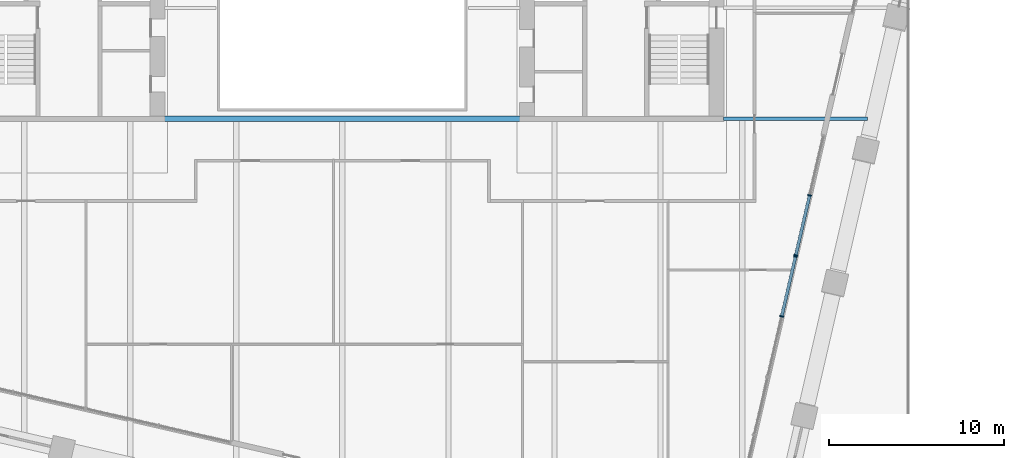
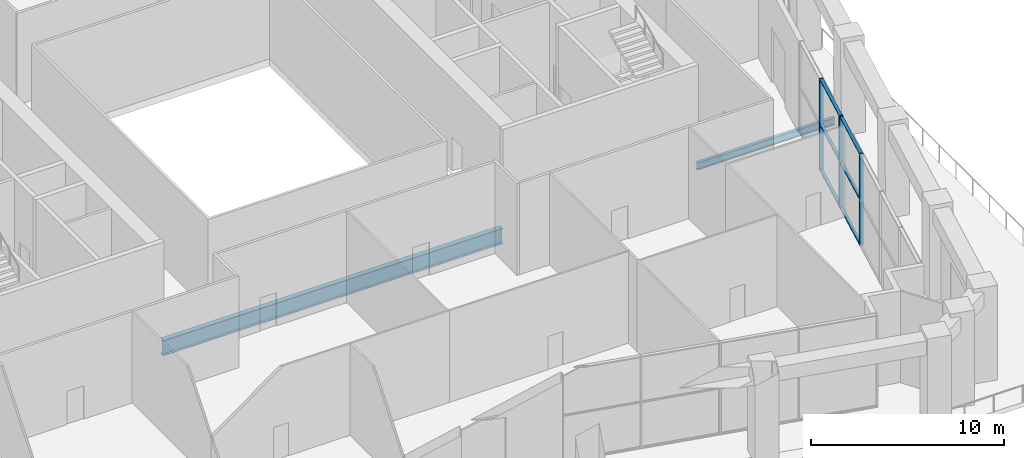
# One storey, part 5 of 23: 10 members, 2 beams, 2 elements without a shape of their own.
"""IFC4 building model written with IfcOpenShell, lengths in metres."""

from ifc_helpers import new_model, si_unit, direction, frame, origin, origin_2d, place, context, subcontext, project, spatial, rectangle, i_section, extrude, material, material_profile, profile_set, type_object, element, aggregate, save


model = new_model("IFC4")

# Units and contexts
model_context = context("Model", 3, precision=1e-05, world=origin(), true_north=direction((0.0, 1.0)))
body_context = subcontext(model_context, "Body", "Model", "MODEL_VIEW")
ifc_project = project(units=[si_unit("LENGTHUNIT", "METRE"), si_unit("AREAUNIT", "SQUARE_METRE"), si_unit("VOLUMEUNIT", "CUBIC_METRE"), si_unit("PLANEANGLEUNIT", "RADIAN"), si_unit("MASSUNIT", "GRAM", prefix="KILO")], contexts=[model_context])

# Site, building, storey
site_placement = place(None, origin())
site = spatial("IfcSite", under=ifc_project, at=site_placement, CompositionType="ELEMENT")
building_placement = place(site_placement, origin())
building = spatial("IfcBuilding", under=site, at=building_placement, Name="Ogive Exchange Tower", CompositionType="ELEMENT")
storey_placement = place(building_placement, frame((0.0, 0.0, 99.60009765625)))
storey = spatial("IfcBuildingStorey", under=building, at=storey_placement, Name="L21", CompositionType="ELEMENT", Elevation=99.60009765625)

# Beams
ifc_material_1 = material(Name="Steel ASTM A992 Gr50", Category="steel")
ifc_material_profile_1 = material_profile(ifc_material_1, i_section(OverallWidth=0.300048828125, OverallDepth=0.97998046875, WebThickness=0.0166015625, FlangeThickness=0.026123046875, at=origin_2d()), Name="W1000x249")
ifc_profile_set_1 = profile_set([ifc_material_profile_1], Name="Steel ASTM A992 Gr50")
beam_type_1 = type_object("IfcBeamType", Name="Girder W1000x249", PredefinedType="BEAM", material=ifc_profile_set_1)
beam_1_placement = place(storey_placement, frame((-10.169921875, -2.594970703125, -0.940185546875), z_axis=(1.0, 0.0, 0.0), x_axis=(0.0, 1.0, 0.0)))
element("IfcBeam", 1, at=beam_1_placement, inside=storey, type_object=beam_type_1, Name="Header girder", PredefinedType="BEAM", context=body_context, shape_type="SweptSolid", body=[
    extrude(i_section(OverallWidth=0.300048828125, OverallDepth=0.97998046875, WebThickness=0.0166015625, FlangeThickness=0.026123046875, at=origin_2d()), origin(), (0.0, 0.0, 1.0), 20.33984375),
])
ifc_material_profile_2 = material_profile(ifc_material_1, i_section(OverallWidth=0.19189453125, OverallDepth=0.4619140625, WebThickness=0.010498046875, FlangeThickness=0.017578125, at=origin_2d()), Name="W460x89")
ifc_profile_set_2 = profile_set([ifc_material_profile_2], Name="Steel ASTM A992 Gr50")
beam_type_2 = type_object("IfcBeamType", Name="Girder W460x89", PredefinedType="BEAM", material=ifc_profile_set_2)
beam_2_placement = place(storey_placement, frame((21.830078125, -2.594970703125, -0.68115234375), z_axis=(1.0, 0.0, 0.0), x_axis=(0.0, 1.0, 0.0)))
element("IfcBeam", 2, at=beam_2_placement, inside=storey, type_object=beam_type_2, Name="Header girder", PredefinedType="BEAM", context=body_context, shape_type="SweptSolid", body=[
    extrude(i_section(OverallWidth=0.19189453125, OverallDepth=0.4619140625, WebThickness=0.010498046875, FlangeThickness=0.017578125, at=origin_2d()), origin(), (0.0, 0.0, 1.0), 8.24072265625),
])

# Curtain wall, members
ifc_material_2 = material(Name="Anodised aluminium and clear glass", Category="aluminium")
curtain_wall_type = type_object("IfcCurtainWallType", Name="Sky lobby glazing", PredefinedType="NOTDEFINED", material=ifc_material_2)
curtain_wall_1_placement = place(storey_placement, origin())
curtain_wall_1 = element("IfcCurtainWall", 3, at=curtain_wall_1_placement, inside=storey, type_object=curtain_wall_type, Name="Sky lobby glazing run G8", PredefinedType="NOTDEFINED")
ifc_material_3 = material(Name="Anodised aluminium", Category="aluminium")
ifc_material_profile_3 = material_profile(ifc_material_3, rectangle(XDim=0.219970703125, YDim=0.070068359375, at=origin_2d()), Name="AL 70x220")
ifc_profile_set_3 = profile_set([ifc_material_profile_3], Name="Anodised aluminium")
member_type_1 = type_object("IfcMemberType", Name="Sky lobby glazing mullion 70 x 220", PredefinedType="MULLION", material=ifc_profile_set_3)
member_1_placement = place(storey_placement, frame((25.153564453125, -13.909912109375, 0.0), z_axis=(0.0, 0.0, 1.0), x_axis=(-0.974371765874, 0.224943685993, 0.0)))
member_1 = element("IfcMember", 4, at=member_1_placement, type_object=member_type_1, Name="G8 mullion 2", PredefinedType="MULLION", context=body_context, shape_type="SweptSolid", body=[
    extrude(rectangle(XDim=0.219970703125, YDim=0.070068359375, at=origin_2d()), origin(), (0.0, 0.0, 1.0), 5.7998046875),
])
member_2_placement = place(storey_placement, frame((25.94580078125, -10.47802734375, 0.0), z_axis=(0.0, 0.0, 1.0), x_axis=(-0.974371765874, 0.224943685993, 0.0)))
member_2 = element("IfcMember", 5, at=member_2_placement, type_object=member_type_1, Name="G8 mullion 3", PredefinedType="MULLION", context=body_context, shape_type="SweptSolid", body=[
    extrude(rectangle(XDim=0.219970703125, YDim=0.070068359375, at=origin_2d()), origin(), (0.0, 0.0, 1.0), 5.7998046875),
])

curtain_wall_2_placement = place(storey_placement, origin())
curtain_wall_2 = element("IfcCurtainWall", 6, at=curtain_wall_2_placement, inside=storey, type_object=curtain_wall_type, Name="Sky lobby glazing run G9", PredefinedType="NOTDEFINED")
member_3_placement = place(storey_placement, frame((25.96142578125, -10.409912109375, 0.0), z_axis=(0.0, 0.0, 1.0), x_axis=(-0.974369396254, 0.224953950051, 0.0)))
member_3 = element("IfcMember", 7, at=member_3_placement, type_object=member_type_1, Name="G9 mullion 1", PredefinedType="MULLION", context=body_context, shape_type="SweptSolid", body=[
    extrude(rectangle(XDim=0.219970703125, YDim=0.070068359375, at=origin_2d()), origin(), (0.0, 0.0, 1.0), 5.7998046875),
])
member_4_placement = place(storey_placement, frame((26.75390625, -6.97802734375, 0.0), z_axis=(0.0, 0.0, 1.0), x_axis=(-0.974369396254, 0.224953950051, 0.0)))
member_4 = element("IfcMember", 8, at=member_4_placement, type_object=member_type_1, Name="G9 mullion 2", PredefinedType="MULLION", context=body_context, shape_type="SweptSolid", body=[
    extrude(rectangle(XDim=0.219970703125, YDim=0.070068359375, at=origin_2d()), origin(), (0.0, 0.0, 1.0), 5.7998046875),
])

# Member
ifc_material_profile_4 = material_profile(ifc_material_3, rectangle(XDim=0.179931640625, YDim=0.070068359375, at=origin_2d()), Name="AL 70x180")
ifc_profile_set_4 = profile_set([ifc_material_profile_4], Name="Anodised aluminium")
member_type_2 = type_object("IfcMemberType", Name="Sky lobby glazing transom 70 x 180", PredefinedType="USERDEFINED", material=ifc_profile_set_4)
member_5_placement = place(storey_placement, frame((25.161376953125, -13.875732421875, 0.034912109375), z_axis=(0.224905994326, 0.974380466613, 0.0), x_axis=(-0.974380466613, 0.224905994326, 0.0)))
member_5 = element("IfcMember", 9, at=member_5_placement, type_object=member_type_2, Name="G8 transom 2.1", ObjectType="TRANSOM", PredefinedType="USERDEFINED", context=body_context, shape_type="SweptSolid", body=[
    extrude(rectangle(XDim=0.179931640625, YDim=0.070068359375, at=origin_2d()), origin(), (0.0, 0.0, 1.0), 3.451904296875),
])

member_6_placement = place(storey_placement, frame((25.161376953125, -13.875732421875, 2.89990234375), z_axis=(0.224905994326, 0.974380466613, 0.0), x_axis=(-0.974380466613, 0.224905994326, 0.0)))
member_6 = element("IfcMember", 10, at=member_6_placement, type_object=member_type_2, Name="G8 transom 2.2", ObjectType="TRANSOM", PredefinedType="USERDEFINED", context=body_context, shape_type="SweptSolid", body=[
    extrude(rectangle(XDim=0.179931640625, YDim=0.070068359375, at=origin_2d()), origin(), (0.0, 0.0, 1.0), 3.451904296875),
])

member_7_placement = place(storey_placement, frame((25.161376953125, -13.875732421875, 5.764892578125), z_axis=(0.224905994326, 0.974380466613, 0.0), x_axis=(-0.974380466613, 0.224905994326, 0.0)))
member_7 = element("IfcMember", 11, at=member_7_placement, type_object=member_type_2, Name="G8 transom 2.3", ObjectType="TRANSOM", PredefinedType="USERDEFINED", context=body_context, shape_type="SweptSolid", body=[
    extrude(rectangle(XDim=0.179931640625, YDim=0.070068359375, at=origin_2d()), origin(), (0.0, 0.0, 1.0), 3.451904296875),
])

aggregate(curtain_wall_1, [member_1, member_2, member_5, member_6, member_7])

member_8_placement = place(storey_placement, frame((25.96923828125, -10.375732421875, 0.034912109375), z_axis=(0.224973140409, 0.974364965552, 0.0), x_axis=(-0.974364965552, 0.224973140409, 0.0)))
member_8 = element("IfcMember", 12, at=member_8_placement, type_object=member_type_2, Name="G9 transom 1.1", ObjectType="TRANSOM", PredefinedType="USERDEFINED", context=body_context, shape_type="SweptSolid", body=[
    extrude(rectangle(XDim=0.179931640625, YDim=0.070068359375, at=origin_2d()), origin(), (0.0, 0.0, 1.0), 3.451904296875),
])

member_9_placement = place(storey_placement, frame((25.96923828125, -10.375732421875, 2.89990234375), z_axis=(0.224973140409, 0.974364965552, 0.0), x_axis=(-0.974364965552, 0.224973140409, 0.0)))
member_9 = element("IfcMember", 13, at=member_9_placement, type_object=member_type_2, Name="G9 transom 1.2", ObjectType="TRANSOM", PredefinedType="USERDEFINED", context=body_context, shape_type="SweptSolid", body=[
    extrude(rectangle(XDim=0.179931640625, YDim=0.070068359375, at=origin_2d()), origin(), (0.0, 0.0, 1.0), 3.451904296875),
])

member_10_placement = place(storey_placement, frame((25.96923828125, -10.375732421875, 5.764892578125), z_axis=(0.224973140409, 0.974364965552, 0.0), x_axis=(-0.974364965552, 0.224973140409, 0.0)))
member_10 = element("IfcMember", 14, at=member_10_placement, type_object=member_type_2, Name="G9 transom 1.3", ObjectType="TRANSOM", PredefinedType="USERDEFINED", context=body_context, shape_type="SweptSolid", body=[
    extrude(rectangle(XDim=0.179931640625, YDim=0.070068359375, at=origin_2d()), origin(), (0.0, 0.0, 1.0), 3.451904296875),
])

aggregate(curtain_wall_2, [member_3, member_4, member_8, member_9, member_10])

save(model, "model.ifc")
